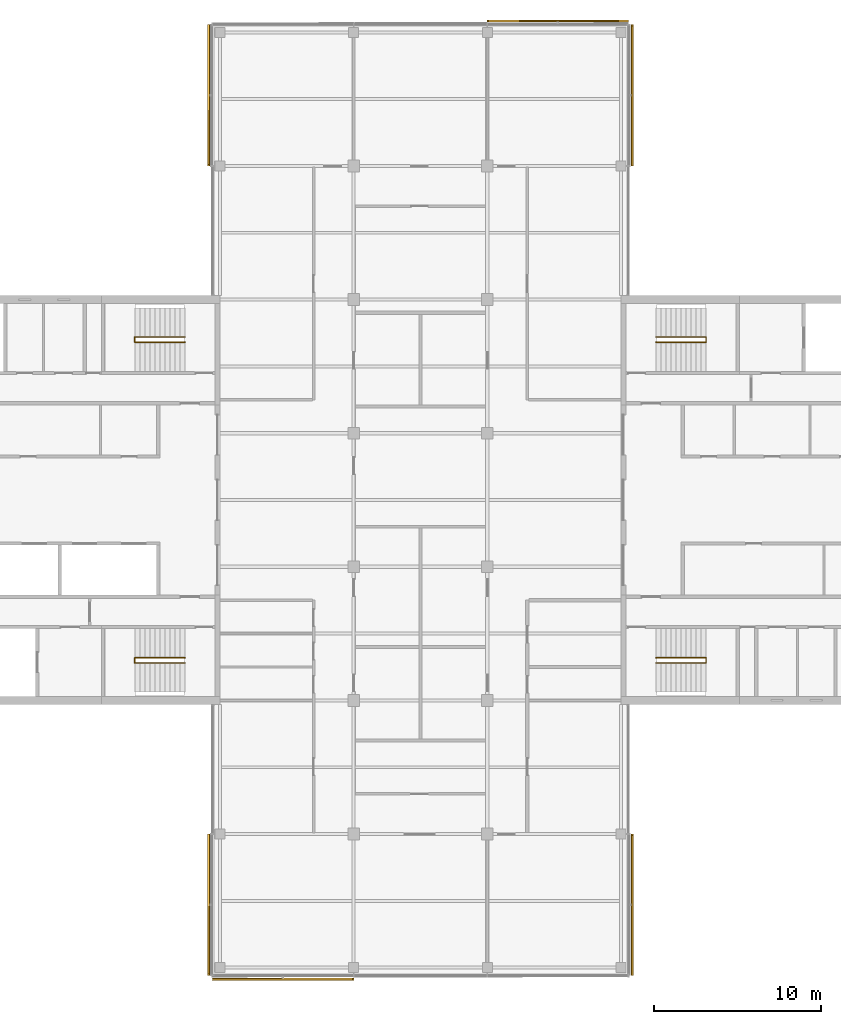
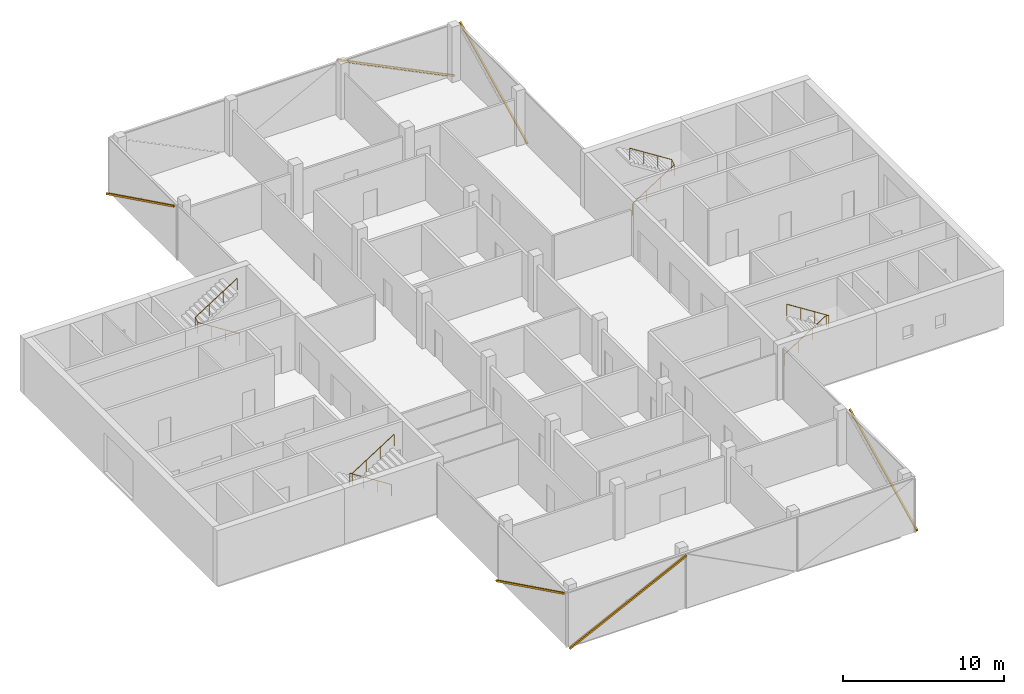
# One storey, part 16 of 16: 6 shading devices, 4 railings, 6 elements without a shape of their own.
"""IFC4 building model written with IfcOpenShell, lengths in metres."""

from ifc_helpers import new_model, si_unit, direction, frame, origin, origin_2d, place, context, subcontext, project, spatial, rectangle, circle, extrude, material, material_profile, profile_set, type_object, element, aggregate, save


model = new_model("IFC4")

# Units and contexts
model_context = context("Model", 3, precision=1e-05, world=origin(), true_north=direction((0.0, 1.0)))
body_context = subcontext(model_context, "Body", "Model", "MODEL_VIEW")
ifc_project = project(units=[si_unit("LENGTHUNIT", "METRE"), si_unit("AREAUNIT", "SQUARE_METRE"), si_unit("VOLUMEUNIT", "CUBIC_METRE"), si_unit("PLANEANGLEUNIT", "RADIAN"), si_unit("MASSUNIT", "GRAM", prefix="KILO")], contexts=[model_context])

# Site, building, storey
site_placement = place(None, origin())
site = spatial("IfcSite", under=ifc_project, at=site_placement, CompositionType="ELEMENT")
building_placement = place(site_placement, origin())
building = spatial("IfcBuilding", under=site, at=building_placement, Name="Crosswind Convention Tower", CompositionType="ELEMENT")
storey_placement = place(building_placement, frame((0.0, 0.0, 287.10009765625)))
storey = spatial("IfcBuildingStorey", under=building, at=storey_placement, Name="L62", CompositionType="ELEMENT", Elevation=287.10009765625)

# Railings
ifc_material_1 = material(Name="Stainless steel", Category="steel")
railing_type = type_object("IfcRailingType", Name="Stair handrail 900", PredefinedType="HANDRAIL", material=ifc_material_1)
railing_1_placement = place(storey_placement, frame((139.10009765625, 109.43994140625, 0.19091796875)))
element("IfcRailing", 1, at=railing_1_placement, inside=storey, type_object=railing_type, Name="Stair ST1 handrail L62", PredefinedType="HANDRAIL", context=body_context, shape_type="SweptSolid", body=[
    extrude(circle(Radius=0.02392578125, at=origin_2d()), frame((0.0, 0.0, 0.8759765625), z_axis=(0.843681277094, 0.0, 0.536844393359), x_axis=(0.0, 1.0, 0.0)), (0.0, 0.0, 1.0), 3.555908203125),
    extrude(circle(Radius=0.02392578125, at=origin_2d()), frame((3.0, 0.0, 2.78466796875), z_axis=(0.0, 0.858819504967, 0.512278301208), x_axis=(-1.0, 0.0, 0.0)), (0.0, 0.0, 1.0), 0.372802734375),
    extrude(circle(Radius=0.02392578125, at=origin_2d()), frame((3.0, 0.320068359375, 2.9755859375), z_axis=(-0.843650179428, 0.0, 0.536893261973), x_axis=(0.0, -1.0, 0.0)), (0.0, 0.0, 1.0), 3.555908203125),
    extrude(circle(Radius=0.02099609375, at=origin_2d()), origin(), (0.0, 0.0, 1.0), 0.851806640625),
    extrude(circle(Radius=0.02099609375, at=origin_2d()), frame((1.0, 0.0, 0.63623046875)), (0.0, 0.0, 1.0), 0.851806640625),
    extrude(circle(Radius=0.02099609375, at=origin_2d()), frame((2.0, 0.0, 1.272705078125)), (0.0, 0.0, 1.0), 0.851806640625),
    extrude(circle(Radius=0.02099609375, at=origin_2d()), frame((3.0, 0.0, 1.908935546875)), (0.0, 0.0, 1.0), 0.851806640625),
    extrude(circle(Radius=0.02099609375, at=origin_2d()), frame((3.0, 0.320068359375, 2.099853515625)), (0.0, 0.0, 1.0), 0.851806640625),
    extrude(circle(Radius=0.02099609375, at=origin_2d()), frame((2.0, 0.320068359375, 2.736328125)), (0.0, 0.0, 1.0), 0.851806640625),
    extrude(circle(Radius=0.02099609375, at=origin_2d()), frame((1.0, 0.320068359375, 3.37255859375)), (0.0, 0.0, 1.0), 0.851806640625),
    extrude(circle(Radius=0.02099609375, at=origin_2d()), frame((0.0, 0.320068359375, 4.009033203125)), (0.0, 0.0, 1.0), 0.851806640625),
])
railing_2_placement = place(storey_placement, frame((139.10009765625, 90.56005859375, 0.19091796875)))
element("IfcRailing", 2, at=railing_2_placement, inside=storey, type_object=railing_type, Name="Stair ST2 handrail L62", PredefinedType="HANDRAIL", context=body_context, shape_type="SweptSolid", body=[
    extrude(circle(Radius=0.02392578125, at=origin_2d()), frame((0.0, 0.0, 0.8759765625), z_axis=(0.843681277094, 0.0, 0.536844393359), x_axis=(0.0, 1.0, 0.0)), (0.0, 0.0, 1.0), 3.555908203125),
    extrude(circle(Radius=0.02392578125, at=origin_2d()), frame((3.0, 0.0, 2.78466796875), z_axis=(0.0, -0.858819504967, 0.512278301208), x_axis=(1.0, 0.0, 0.0)), (0.0, 0.0, 1.0), 0.372802734375),
    extrude(circle(Radius=0.02392578125, at=origin_2d()), frame((3.0, -0.320068359375, 2.9755859375), z_axis=(-0.843650179428, 0.0, 0.536893261973), x_axis=(0.0, -1.0, 0.0)), (0.0, 0.0, 1.0), 3.555908203125),
    extrude(circle(Radius=0.02099609375, at=origin_2d()), origin(), (0.0, 0.0, 1.0), 0.851806640625),
    extrude(circle(Radius=0.02099609375, at=origin_2d()), frame((1.0, 0.0, 0.63623046875)), (0.0, 0.0, 1.0), 0.851806640625),
    extrude(circle(Radius=0.02099609375, at=origin_2d()), frame((2.0, 0.0, 1.272705078125)), (0.0, 0.0, 1.0), 0.851806640625),
    extrude(circle(Radius=0.02099609375, at=origin_2d()), frame((3.0, 0.0, 1.908935546875)), (0.0, 0.0, 1.0), 0.851806640625),
    extrude(circle(Radius=0.02099609375, at=origin_2d()), frame((3.0, -0.320068359375, 2.099853515625)), (0.0, 0.0, 1.0), 0.851806640625),
    extrude(circle(Radius=0.02099609375, at=origin_2d()), frame((2.0, -0.320068359375, 2.736328125)), (0.0, 0.0, 1.0), 0.851806640625),
    extrude(circle(Radius=0.02099609375, at=origin_2d()), frame((1.0, -0.320068359375, 3.37255859375)), (0.0, 0.0, 1.0), 0.851806640625),
    extrude(circle(Radius=0.02099609375, at=origin_2d()), frame((0.0, -0.320068359375, 4.009033203125)), (0.0, 0.0, 1.0), 0.851806640625),
])
railing_3_placement = place(storey_placement, frame((110.89990234375, 90.56005859375, 0.19091796875)))
element("IfcRailing", 3, at=railing_3_placement, inside=storey, type_object=railing_type, Name="Stair ST3 handrail L62", PredefinedType="HANDRAIL", context=body_context, shape_type="SweptSolid", body=[
    extrude(circle(Radius=0.02392578125, at=origin_2d()), frame((0.0, 0.0, 0.8759765625), z_axis=(-0.843681277094, 0.0, 0.536844393359), x_axis=(0.0, -1.0, 0.0)), (0.0, 0.0, 1.0), 3.555908203125),
    extrude(circle(Radius=0.02392578125, at=origin_2d()), frame((-3.0, 0.0, 2.78466796875), z_axis=(0.0, -0.858819504967, 0.512278301208), x_axis=(1.0, 0.0, 0.0)), (0.0, 0.0, 1.0), 0.372802734375),
    extrude(circle(Radius=0.02392578125, at=origin_2d()), frame((-3.0, -0.320068359375, 2.9755859375), z_axis=(0.843650179428, 0.0, 0.536893261973), x_axis=(0.0, 1.0, 0.0)), (0.0, 0.0, 1.0), 3.555908203125),
    extrude(circle(Radius=0.02099609375, at=origin_2d()), origin(), (0.0, 0.0, 1.0), 0.851806640625),
    extrude(circle(Radius=0.02099609375, at=origin_2d()), frame((-1.0, 0.0, 0.63623046875)), (0.0, 0.0, 1.0), 0.851806640625),
    extrude(circle(Radius=0.02099609375, at=origin_2d()), frame((-2.0, 0.0, 1.272705078125)), (0.0, 0.0, 1.0), 0.851806640625),
    extrude(circle(Radius=0.02099609375, at=origin_2d()), frame((-3.0, 0.0, 1.908935546875)), (0.0, 0.0, 1.0), 0.851806640625),
    extrude(circle(Radius=0.02099609375, at=origin_2d()), frame((-3.0, -0.320068359375, 2.099853515625)), (0.0, 0.0, 1.0), 0.851806640625),
    extrude(circle(Radius=0.02099609375, at=origin_2d()), frame((-2.0, -0.320068359375, 2.736328125)), (0.0, 0.0, 1.0), 0.851806640625),
    extrude(circle(Radius=0.02099609375, at=origin_2d()), frame((-1.0, -0.320068359375, 3.37255859375)), (0.0, 0.0, 1.0), 0.851806640625),
    extrude(circle(Radius=0.02099609375, at=origin_2d()), frame((0.0, -0.320068359375, 4.009033203125)), (0.0, 0.0, 1.0), 0.851806640625),
])
railing_4_placement = place(storey_placement, frame((110.89990234375, 109.43994140625, 0.19091796875)))
element("IfcRailing", 4, at=railing_4_placement, inside=storey, type_object=railing_type, Name="Stair ST4 handrail L62", PredefinedType="HANDRAIL", context=body_context, shape_type="SweptSolid", body=[
    extrude(circle(Radius=0.02392578125, at=origin_2d()), frame((0.0, 0.0, 0.8759765625), z_axis=(-0.843681277094, 0.0, 0.536844393359), x_axis=(0.0, -1.0, 0.0)), (0.0, 0.0, 1.0), 3.555908203125),
    extrude(circle(Radius=0.02392578125, at=origin_2d()), frame((-3.0, 0.0, 2.78466796875), z_axis=(0.0, 0.858819504967, 0.512278301208), x_axis=(-1.0, 0.0, 0.0)), (0.0, 0.0, 1.0), 0.372802734375),
    extrude(circle(Radius=0.02392578125, at=origin_2d()), frame((-3.0, 0.320068359375, 2.9755859375), z_axis=(0.843650179428, 0.0, 0.536893261973), x_axis=(0.0, 1.0, 0.0)), (0.0, 0.0, 1.0), 3.555908203125),
    extrude(circle(Radius=0.02099609375, at=origin_2d()), origin(), (0.0, 0.0, 1.0), 0.851806640625),
    extrude(circle(Radius=0.02099609375, at=origin_2d()), frame((-1.0, 0.0, 0.63623046875)), (0.0, 0.0, 1.0), 0.851806640625),
    extrude(circle(Radius=0.02099609375, at=origin_2d()), frame((-2.0, 0.0, 1.272705078125)), (0.0, 0.0, 1.0), 0.851806640625),
    extrude(circle(Radius=0.02099609375, at=origin_2d()), frame((-3.0, 0.0, 1.908935546875)), (0.0, 0.0, 1.0), 0.851806640625),
    extrude(circle(Radius=0.02099609375, at=origin_2d()), frame((-3.0, 0.320068359375, 2.099853515625)), (0.0, 0.0, 1.0), 0.851806640625),
    extrude(circle(Radius=0.02099609375, at=origin_2d()), frame((-2.0, 0.320068359375, 2.736328125)), (0.0, 0.0, 1.0), 0.851806640625),
    extrude(circle(Radius=0.02099609375, at=origin_2d()), frame((-1.0, 0.320068359375, 3.37255859375)), (0.0, 0.0, 1.0), 0.851806640625),
    extrude(circle(Radius=0.02099609375, at=origin_2d()), frame((0.0, 0.320068359375, 4.009033203125)), (0.0, 0.0, 1.0), 0.851806640625),
])

# Curtain wall, shading device
ifc_material_2 = material(Name="Aluminium unitised curtain wall", Category="aluminium")
curtain_wall_type = type_object("IfcCurtainWallType", Name="OFFICE UNITISED WALL 220", PredefinedType="USERDEFINED", material=ifc_material_2)
curtain_wall_1_placement = place(storey_placement, origin())
curtain_wall_1 = element("IfcCurtainWall", 5, at=curtain_wall_1_placement, inside=storey, type_object=curtain_wall_type, Name="CW3 L62 N-E 1", ObjectType="UNITISED", PredefinedType="USERDEFINED")
ifc_material_3 = material(Name="Extruded terracotta", Category="masonry")
ifc_material_profile = material_profile(ifc_material_3, rectangle(XDim=0.110107421875, YDim=0.1298828125, at=origin_2d()), Name="TC 110X130")
ifc_profile_set = profile_set([ifc_material_profile], Name="Extruded terracotta")
shading_device_type = type_object("IfcShadingDeviceType", Name="TERRACOTTA BAGUETTE 130X110", PredefinedType="USERDEFINED", material=ifc_profile_set)
shading_device_1_placement = place(storey_placement, frame((137.680908203125, 120.034912109375, -0.300048828125), z_axis=(0.0, 0.897198049762, 0.441628417907), x_axis=(-1.0, 0.0, 0.0)))
shading_device_1 = element("IfcShadingDevice", 6, at=shading_device_1_placement, type_object=shading_device_type, Name="CW3 terracotta baguette 1", ObjectType="BAGUETTE", PredefinedType="USERDEFINED", context=body_context, shape_type="SweptSolid", body=[
    extrude(rectangle(XDim=0.110107421875, YDim=0.1298828125, at=origin_2d()), origin(), (0.0, 0.0, 1.0), 9.3515625),
])
aggregate(curtain_wall_1, [shading_device_1])

curtain_wall_2_placement = place(storey_placement, origin())
curtain_wall_2 = element("IfcCurtainWall", 7, at=curtain_wall_2_placement, inside=storey, type_object=curtain_wall_type, Name="CW3 L62 N-TIP 1", ObjectType="UNITISED", PredefinedType="USERDEFINED")
shading_device_2_placement = place(storey_placement, frame((137.425048828125, 128.680908203125, -0.300048828125), z_axis=(-0.897198049762, 0.0, 0.441628417907), x_axis=(0.0, -1.0, 0.0)))
shading_device_2 = element("IfcShadingDevice", 8, at=shading_device_2_placement, type_object=shading_device_type, Name="CW3 terracotta baguette 1", ObjectType="BAGUETTE", PredefinedType="USERDEFINED", context=body_context, shape_type="SweptSolid", body=[
    extrude(rectangle(XDim=0.110107421875, YDim=0.1298828125, at=origin_2d()), origin(), (0.0, 0.0, 1.0), 9.3515625),
])
aggregate(curtain_wall_2, [shading_device_2])

curtain_wall_3_placement = place(storey_placement, origin())
curtain_wall_3 = element("IfcCurtainWall", 9, at=curtain_wall_3_placement, inside=storey, type_object=curtain_wall_type, Name="CW3 L62 N-W 1", ObjectType="UNITISED", PredefinedType="USERDEFINED")
shading_device_3_placement = place(storey_placement, frame((112.319091796875, 128.425048828125, -0.300048828125), z_axis=(0.0, -0.897198049762, 0.441628417907), x_axis=(1.0, 0.0, 0.0)))
shading_device_3 = element("IfcShadingDevice", 10, at=shading_device_3_placement, type_object=shading_device_type, Name="CW3 terracotta baguette 1", ObjectType="BAGUETTE", PredefinedType="USERDEFINED", context=body_context, shape_type="SweptSolid", body=[
    extrude(rectangle(XDim=0.110107421875, YDim=0.1298828125, at=origin_2d()), origin(), (0.0, 0.0, 1.0), 9.3515625),
])
aggregate(curtain_wall_3, [shading_device_3])

curtain_wall_4_placement = place(storey_placement, origin())
curtain_wall_4 = element("IfcCurtainWall", 11, at=curtain_wall_4_placement, inside=storey, type_object=curtain_wall_type, Name="CW3 L62 S-W 1", ObjectType="UNITISED", PredefinedType="USERDEFINED")
shading_device_4_placement = place(storey_placement, frame((112.319091796875, 79.965087890625, -0.300048828125), z_axis=(0.0, -0.897198049762, 0.441628417907), x_axis=(1.0, 0.0, 0.0)))
shading_device_4 = element("IfcShadingDevice", 12, at=shading_device_4_placement, type_object=shading_device_type, Name="CW3 terracotta baguette 1", ObjectType="BAGUETTE", PredefinedType="USERDEFINED", context=body_context, shape_type="SweptSolid", body=[
    extrude(rectangle(XDim=0.110107421875, YDim=0.1298828125, at=origin_2d()), origin(), (0.0, 0.0, 1.0), 9.3515625),
])
aggregate(curtain_wall_4, [shading_device_4])

curtain_wall_5_placement = place(storey_placement, origin())
curtain_wall_5 = element("IfcCurtainWall", 13, at=curtain_wall_5_placement, inside=storey, type_object=curtain_wall_type, Name="CW3 L62 S-TIP 1", ObjectType="UNITISED", PredefinedType="USERDEFINED")
shading_device_5_placement = place(storey_placement, frame((112.574951171875, 71.319091796875, -0.300048828125), z_axis=(0.897198049762, 0.0, 0.441628417907), x_axis=(0.0, 1.0, 0.0)))
shading_device_5 = element("IfcShadingDevice", 14, at=shading_device_5_placement, type_object=shading_device_type, Name="CW3 terracotta baguette 1", ObjectType="BAGUETTE", PredefinedType="USERDEFINED", context=body_context, shape_type="SweptSolid", body=[
    extrude(rectangle(XDim=0.110107421875, YDim=0.1298828125, at=origin_2d()), origin(), (0.0, 0.0, 1.0), 9.3515625),
])
aggregate(curtain_wall_5, [shading_device_5])

curtain_wall_6_placement = place(storey_placement, origin())
curtain_wall_6 = element("IfcCurtainWall", 15, at=curtain_wall_6_placement, inside=storey, type_object=curtain_wall_type, Name="CW3 L62 S-E 1", ObjectType="UNITISED", PredefinedType="USERDEFINED")
shading_device_6_placement = place(storey_placement, frame((137.680908203125, 71.574951171875, -0.300048828125), z_axis=(0.0, 0.897198049762, 0.441628417907), x_axis=(-1.0, 0.0, 0.0)))
shading_device_6 = element("IfcShadingDevice", 16, at=shading_device_6_placement, type_object=shading_device_type, Name="CW3 terracotta baguette 1", ObjectType="BAGUETTE", PredefinedType="USERDEFINED", context=body_context, shape_type="SweptSolid", body=[
    extrude(rectangle(XDim=0.110107421875, YDim=0.1298828125, at=origin_2d()), origin(), (0.0, 0.0, 1.0), 9.3515625),
])
aggregate(curtain_wall_6, [shading_device_6])

save(model, "model.ifc")
